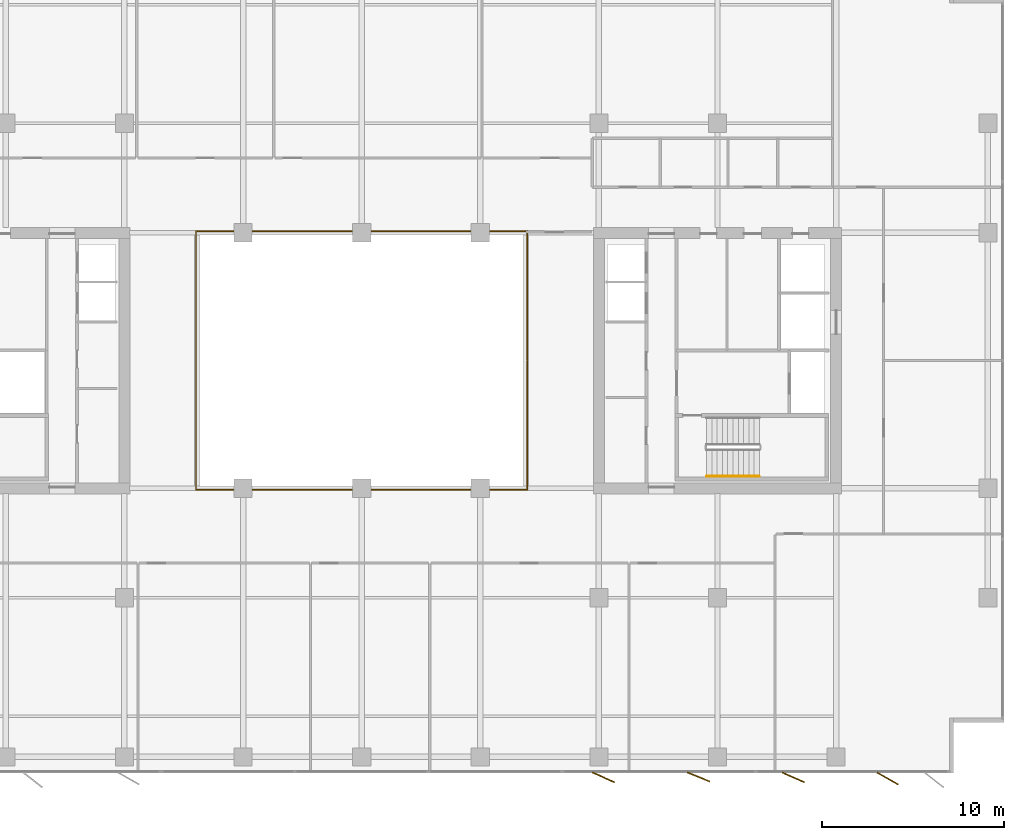
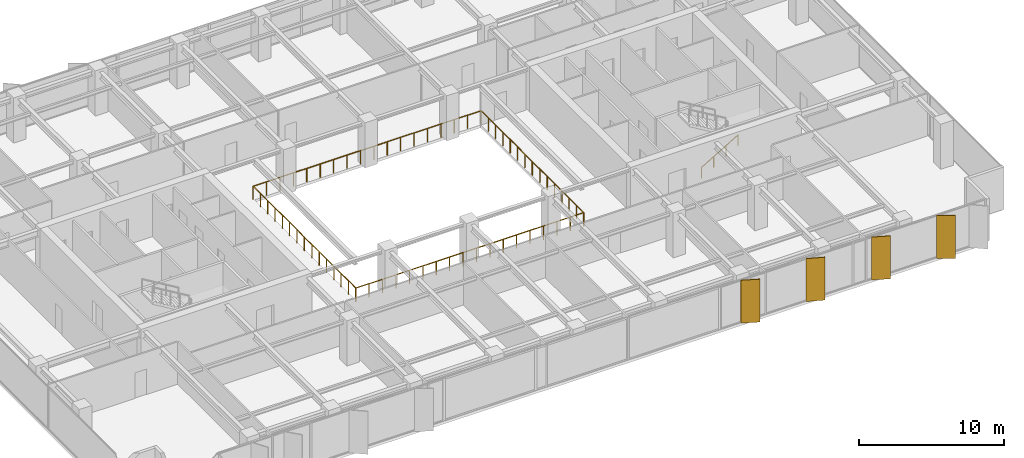
# One storey, part 20 of 22: 4 shading devices, 3 railings.
"""IFC4 building model written with IfcOpenShell, lengths in metres."""

from ifc_helpers import new_model, si_unit, direction, frame, origin, origin_2d, place, context, subcontext, project, spatial, rectangle, circle, extrude, material, layer, layer_set, type_object, element, save


model = new_model("IFC4")

# Units and contexts
model_context = context("Model", 3, precision=1e-05, world=origin(), true_north=direction((0.0, 1.0)))
body_context = subcontext(model_context, "Body", "Model", "MODEL_VIEW")
ifc_project = project(units=[si_unit("LENGTHUNIT", "METRE"), si_unit("AREAUNIT", "SQUARE_METRE"), si_unit("VOLUMEUNIT", "CUBIC_METRE"), si_unit("PLANEANGLEUNIT", "RADIAN"), si_unit("MASSUNIT", "GRAM", prefix="KILO")], contexts=[model_context])

# Site, building, storey
site_placement = place(None, origin())
site = spatial("IfcSite", under=ifc_project, at=site_placement, CompositionType="ELEMENT")
building_placement = place(site_placement, origin())
building = spatial("IfcBuilding", under=site, at=building_placement, Name="Putna Gate Headquarters", CompositionType="ELEMENT")
storey_placement = place(building_placement, frame((0.0, 0.0, 170.800048828125)))
storey = spatial("IfcBuildingStorey", under=building, at=storey_placement, Name="L42", CompositionType="ELEMENT", Elevation=170.800048828125)

# Railings
ifc_material_1 = material(Name="Anodised bronze and laminated glass atrium balustrade", Category="glass")
railing_type_1 = type_object("IfcRailingType", Name="RAIL-ATRIUM-GUARD-1150", PredefinedType="GUARDRAIL", material=ifc_material_1)
railing_1_placement = place(storey_placement, frame((29.919921875, 25.969970703125, 0.0)))
element("IfcRailing", 1, at=railing_1_placement, inside=storey, type_object=railing_type_1, Name="L42 Central Atrium Glazed Balustrade South", PredefinedType="GUARDRAIL", context=body_context, shape_type="SweptSolid", body=[
    extrude(circle(Radius=0.02392578125, at=origin_2d()), frame((0.0, 0.0, 1.1259765625), z_axis=(0.0, -1.0, 0.0), x_axis=(1.0, 0.0, 0.0)), (0.0, 0.0, 1.0), 7.050048828125),
    extrude(circle(Radius=0.02392578125, at=origin_2d()), frame((0.0, -7.050048828125, 1.1259765625), z_axis=(1.0, 0.0, 0.0), x_axis=(0.0, 1.0, 0.0)), (0.0, 0.0, 1.0), 18.16015625),
    extrude(circle(Radius=0.02392578125, at=origin_2d()), frame((18.16015625, -7.050048828125, 1.1259765625), z_axis=(0.0, 1.0, 0.0), x_axis=(-1.0, 0.0, 0.0)), (0.0, 0.0, 1.0), 7.050048828125),
    extrude(circle(Radius=0.02099609375, at=origin_2d()), origin(), (0.0, 0.0, 1.0), 1.101806640625),
    extrude(circle(Radius=0.02099609375, at=origin_2d()), frame((0.0, -1.007080078125, 0.0)), (0.0, 0.0, 1.0), 1.101806640625),
    extrude(circle(Radius=0.02099609375, at=origin_2d()), frame((0.0, -2.014404296875, 0.0)), (0.0, 0.0, 1.0), 1.101806640625),
    extrude(circle(Radius=0.02099609375, at=origin_2d()), frame((0.0, -3.021484375, 0.0)), (0.0, 0.0, 1.0), 1.101806640625),
    extrude(circle(Radius=0.02099609375, at=origin_2d()), frame((0.0, -4.028564453125, 0.0)), (0.0, 0.0, 1.0), 1.101806640625),
    extrude(circle(Radius=0.02099609375, at=origin_2d()), frame((0.0, -5.03564453125, 0.0)), (0.0, 0.0, 1.0), 1.101806640625),
    extrude(circle(Radius=0.02099609375, at=origin_2d()), frame((0.0, -6.04296875, 0.0)), (0.0, 0.0, 1.0), 1.101806640625),
    extrude(circle(Radius=0.02099609375, at=origin_2d()), frame((0.0, -7.050048828125, 0.0)), (0.0, 0.0, 1.0), 1.101806640625),
    extrude(circle(Radius=0.02099609375, at=origin_2d()), frame((1.068359375, -7.050048828125, 0.0)), (0.0, 0.0, 1.0), 1.101806640625),
    extrude(circle(Radius=0.02099609375, at=origin_2d()), frame((2.136474609375, -7.050048828125, 0.0)), (0.0, 0.0, 1.0), 1.101806640625),
    extrude(circle(Radius=0.02099609375, at=origin_2d()), frame((3.204833984375, -7.050048828125, 0.0)), (0.0, 0.0, 1.0), 1.101806640625),
    extrude(circle(Radius=0.02099609375, at=origin_2d()), frame((4.27294921875, -7.050048828125, 0.0)), (0.0, 0.0, 1.0), 1.101806640625),
    extrude(circle(Radius=0.02099609375, at=origin_2d()), frame((5.34130859375, -7.050048828125, 0.0)), (0.0, 0.0, 1.0), 1.101806640625),
    extrude(circle(Radius=0.02099609375, at=origin_2d()), frame((6.409423828125, -7.050048828125, 0.0)), (0.0, 0.0, 1.0), 1.101806640625),
    extrude(circle(Radius=0.02099609375, at=origin_2d()), frame((7.477783203125, -7.050048828125, 0.0)), (0.0, 0.0, 1.0), 1.101806640625),
    extrude(circle(Radius=0.02099609375, at=origin_2d()), frame((8.5458984375, -7.050048828125, 0.0)), (0.0, 0.0, 1.0), 1.101806640625),
    extrude(circle(Radius=0.02099609375, at=origin_2d()), frame((9.6142578125, -7.050048828125, 0.0)), (0.0, 0.0, 1.0), 1.101806640625),
    extrude(circle(Radius=0.02099609375, at=origin_2d()), frame((10.682373046875, -7.050048828125, 0.0)), (0.0, 0.0, 1.0), 1.101806640625),
    extrude(circle(Radius=0.02099609375, at=origin_2d()), frame((11.750732421875, -7.050048828125, 0.0)), (0.0, 0.0, 1.0), 1.101806640625),
    extrude(circle(Radius=0.02099609375, at=origin_2d()), frame((12.81884765625, -7.050048828125, 0.0)), (0.0, 0.0, 1.0), 1.101806640625),
    extrude(circle(Radius=0.02099609375, at=origin_2d()), frame((13.88720703125, -7.050048828125, 0.0)), (0.0, 0.0, 1.0), 1.101806640625),
    extrude(circle(Radius=0.02099609375, at=origin_2d()), frame((14.955322265625, -7.050048828125, 0.0)), (0.0, 0.0, 1.0), 1.101806640625),
    extrude(circle(Radius=0.02099609375, at=origin_2d()), frame((16.023681640625, -7.050048828125, 0.0)), (0.0, 0.0, 1.0), 1.101806640625),
    extrude(circle(Radius=0.02099609375, at=origin_2d()), frame((17.091796875, -7.050048828125, 0.0)), (0.0, 0.0, 1.0), 1.101806640625),
    extrude(circle(Radius=0.02099609375, at=origin_2d()), frame((18.16015625, -7.050048828125, 0.0)), (0.0, 0.0, 1.0), 1.101806640625),
    extrude(circle(Radius=0.02099609375, at=origin_2d()), frame((18.16015625, -6.04296875, 0.0)), (0.0, 0.0, 1.0), 1.101806640625),
    extrude(circle(Radius=0.02099609375, at=origin_2d()), frame((18.16015625, -5.03564453125, 0.0)), (0.0, 0.0, 1.0), 1.101806640625),
    extrude(circle(Radius=0.02099609375, at=origin_2d()), frame((18.16015625, -4.028564453125, 0.0)), (0.0, 0.0, 1.0), 1.101806640625),
    extrude(circle(Radius=0.02099609375, at=origin_2d()), frame((18.16015625, -3.021484375, 0.0)), (0.0, 0.0, 1.0), 1.101806640625),
    extrude(circle(Radius=0.02099609375, at=origin_2d()), frame((18.16015625, -2.014404296875, 0.0)), (0.0, 0.0, 1.0), 1.101806640625),
    extrude(circle(Radius=0.02099609375, at=origin_2d()), frame((18.16015625, -1.007080078125, 0.0)), (0.0, 0.0, 1.0), 1.101806640625),
    extrude(circle(Radius=0.02099609375, at=origin_2d()), frame((18.16015625, 0.0, 0.0)), (0.0, 0.0, 1.0), 1.101806640625),
])
railing_2_placement = place(storey_placement, frame((48.080078125, 26.030029296875, 0.0)))
element("IfcRailing", 2, at=railing_2_placement, inside=storey, type_object=railing_type_1, Name="L42 Central Atrium Glazed Balustrade North", PredefinedType="GUARDRAIL", context=body_context, shape_type="SweptSolid", body=[
    extrude(circle(Radius=0.02392578125, at=origin_2d()), frame((0.0, 0.0, 1.1259765625), z_axis=(0.0, 1.0, 0.0), x_axis=(-1.0, 0.0, 0.0)), (0.0, 0.0, 1.0), 7.050048828125),
    extrude(circle(Radius=0.02392578125, at=origin_2d()), frame((0.0, 7.050048828125, 1.1259765625), z_axis=(-1.0, 0.0, 0.0), x_axis=(0.0, -1.0, 0.0)), (0.0, 0.0, 1.0), 18.16015625),
    extrude(circle(Radius=0.02392578125, at=origin_2d()), frame((-18.16015625, 7.050048828125, 1.1259765625), z_axis=(0.0, -1.0, 0.0), x_axis=(1.0, 0.0, 0.0)), (0.0, 0.0, 1.0), 7.050048828125),
    extrude(circle(Radius=0.02099609375, at=origin_2d()), origin(), (0.0, 0.0, 1.0), 1.101806640625),
    extrude(circle(Radius=0.02099609375, at=origin_2d()), frame((0.0, 1.007080078125, 0.0)), (0.0, 0.0, 1.0), 1.101806640625),
    extrude(circle(Radius=0.02099609375, at=origin_2d()), frame((0.0, 2.014404296875, 0.0)), (0.0, 0.0, 1.0), 1.101806640625),
    extrude(circle(Radius=0.02099609375, at=origin_2d()), frame((0.0, 3.021484375, 0.0)), (0.0, 0.0, 1.0), 1.101806640625),
    extrude(circle(Radius=0.02099609375, at=origin_2d()), frame((0.0, 4.028564453125, 0.0)), (0.0, 0.0, 1.0), 1.101806640625),
    extrude(circle(Radius=0.02099609375, at=origin_2d()), frame((0.0, 5.03564453125, 0.0)), (0.0, 0.0, 1.0), 1.101806640625),
    extrude(circle(Radius=0.02099609375, at=origin_2d()), frame((0.0, 6.04296875, 0.0)), (0.0, 0.0, 1.0), 1.101806640625),
    extrude(circle(Radius=0.02099609375, at=origin_2d()), frame((0.0, 7.050048828125, 0.0)), (0.0, 0.0, 1.0), 1.101806640625),
    extrude(circle(Radius=0.02099609375, at=origin_2d()), frame((-1.068359375, 7.050048828125, 0.0)), (0.0, 0.0, 1.0), 1.101806640625),
    extrude(circle(Radius=0.02099609375, at=origin_2d()), frame((-2.136474609375, 7.050048828125, 0.0)), (0.0, 0.0, 1.0), 1.101806640625),
    extrude(circle(Radius=0.02099609375, at=origin_2d()), frame((-3.204833984375, 7.050048828125, 0.0)), (0.0, 0.0, 1.0), 1.101806640625),
    extrude(circle(Radius=0.02099609375, at=origin_2d()), frame((-4.27294921875, 7.050048828125, 0.0)), (0.0, 0.0, 1.0), 1.101806640625),
    extrude(circle(Radius=0.02099609375, at=origin_2d()), frame((-5.34130859375, 7.050048828125, 0.0)), (0.0, 0.0, 1.0), 1.101806640625),
    extrude(circle(Radius=0.02099609375, at=origin_2d()), frame((-6.409423828125, 7.050048828125, 0.0)), (0.0, 0.0, 1.0), 1.101806640625),
    extrude(circle(Radius=0.02099609375, at=origin_2d()), frame((-7.477783203125, 7.050048828125, 0.0)), (0.0, 0.0, 1.0), 1.101806640625),
    extrude(circle(Radius=0.02099609375, at=origin_2d()), frame((-8.5458984375, 7.050048828125, 0.0)), (0.0, 0.0, 1.0), 1.101806640625),
    extrude(circle(Radius=0.02099609375, at=origin_2d()), frame((-9.6142578125, 7.050048828125, 0.0)), (0.0, 0.0, 1.0), 1.101806640625),
    extrude(circle(Radius=0.02099609375, at=origin_2d()), frame((-10.682373046875, 7.050048828125, 0.0)), (0.0, 0.0, 1.0), 1.101806640625),
    extrude(circle(Radius=0.02099609375, at=origin_2d()), frame((-11.750732421875, 7.050048828125, 0.0)), (0.0, 0.0, 1.0), 1.101806640625),
    extrude(circle(Radius=0.02099609375, at=origin_2d()), frame((-12.81884765625, 7.050048828125, 0.0)), (0.0, 0.0, 1.0), 1.101806640625),
    extrude(circle(Radius=0.02099609375, at=origin_2d()), frame((-13.88720703125, 7.050048828125, 0.0)), (0.0, 0.0, 1.0), 1.101806640625),
    extrude(circle(Radius=0.02099609375, at=origin_2d()), frame((-14.955322265625, 7.050048828125, 0.0)), (0.0, 0.0, 1.0), 1.101806640625),
    extrude(circle(Radius=0.02099609375, at=origin_2d()), frame((-16.023681640625, 7.050048828125, 0.0)), (0.0, 0.0, 1.0), 1.101806640625),
    extrude(circle(Radius=0.02099609375, at=origin_2d()), frame((-17.091796875, 7.050048828125, 0.0)), (0.0, 0.0, 1.0), 1.101806640625),
    extrude(circle(Radius=0.02099609375, at=origin_2d()), frame((-18.16015625, 7.050048828125, 0.0)), (0.0, 0.0, 1.0), 1.101806640625),
    extrude(circle(Radius=0.02099609375, at=origin_2d()), frame((-18.16015625, 6.04296875, 0.0)), (0.0, 0.0, 1.0), 1.101806640625),
    extrude(circle(Radius=0.02099609375, at=origin_2d()), frame((-18.16015625, 5.03564453125, 0.0)), (0.0, 0.0, 1.0), 1.101806640625),
    extrude(circle(Radius=0.02099609375, at=origin_2d()), frame((-18.16015625, 4.028564453125, 0.0)), (0.0, 0.0, 1.0), 1.101806640625),
    extrude(circle(Radius=0.02099609375, at=origin_2d()), frame((-18.16015625, 3.021484375, 0.0)), (0.0, 0.0, 1.0), 1.101806640625),
    extrude(circle(Radius=0.02099609375, at=origin_2d()), frame((-18.16015625, 2.014404296875, 0.0)), (0.0, 0.0, 1.0), 1.101806640625),
    extrude(circle(Radius=0.02099609375, at=origin_2d()), frame((-18.16015625, 1.007080078125, 0.0)), (0.0, 0.0, 1.0), 1.101806640625),
    extrude(circle(Radius=0.02099609375, at=origin_2d()), frame((-18.16015625, 0.0, 0.0)), (0.0, 0.0, 1.0), 1.101806640625),
])
ifc_material_2 = material(Name="Brushed stainless steel handrail", Category="steel")
railing_type_2 = type_object("IfcRailingType", Name="RAIL-STAIR-HAND-900", PredefinedType="HANDRAIL", material=ifc_material_2)
railing_3_placement = place(storey_placement, frame((57.89990234375, 19.64990234375, 0.172607421875)))
element("IfcRailing", 3, at=railing_3_placement, inside=storey, type_object=railing_type_2, Name="L42 ST2 stair handrail 1", PredefinedType="HANDRAIL", context=body_context, shape_type="SweptSolid", body=[
    extrude(circle(Radius=0.02392578125, at=origin_2d()), frame((0.0, 0.0, 0.8759765625), z_axis=(0.859160404282, 0.0, 0.51170636083), x_axis=(0.0, 1.0, 0.0)), (0.0, 0.0, 1.0), 3.37548828125),
    extrude(circle(Radius=0.02099609375, at=origin_2d()), origin(), (0.0, 0.0, 1.0), 0.851806640625),
    extrude(circle(Radius=0.02099609375, at=origin_2d()), frame((0.966796875, 0.0, 0.57568359375)), (0.0, 0.0, 1.0), 0.851806640625),
    extrude(circle(Radius=0.02099609375, at=origin_2d()), frame((1.933349609375, 0.0, 1.151611328125)), (0.0, 0.0, 1.0), 0.851806640625),
    extrude(circle(Radius=0.02099609375, at=origin_2d()), frame((2.900146484375, 0.0, 1.727294921875)), (0.0, 0.0, 1.0), 0.851806640625),
])

# Shading devices
ifc_material_3 = material(Name="Anodised architectural bronze aluminium fin", Category="aluminium")
ifc_layer = layer(ifc_material_3, 0.06494140625)
ifc_layer_set = layer_set([ifc_layer], Name="Anodised architectural bronze aluminium fin")
shading_device_type = type_object("IfcShadingDeviceType", Name="SHADE-BRONZE-FIN-1320", PredefinedType="USERDEFINED", material=ifc_layer_set)
for number, where, z_axis, x_axis, name in (
    (4, (52.2529296875, 3.15673828125, -0.02001953125), (0.0, 0.0, 1.0), (0.913687379856, -0.40641773078, 0.0), "L42 Bronze Vertical Shading Fin S7"),
    (5, (57.4619140625, 3.177734375, -0.02001953125), (0.0, 0.0, 1.0), (0.927183854567, -0.374606593416, 0.0), "L42 Bronze Vertical Shading Fin S8"),
    (6, (62.653076171875, 3.15673828125, -0.02001953125), (0.0, 0.0, 1.0), (0.913687379856, -0.40641773078, 0.0), "L42 Bronze Vertical Shading Fin S9"),
    (7, (67.82373046875, 3.098876953125, -0.02001953125), (0.0, 0.0, 1.0), (0.869322458298, -0.494245347472, 0.0), "L42 Bronze Vertical Shading Fin S10"),
):
    element("IfcShadingDevice", number, at=place(storey_placement, frame(where, z_axis=z_axis, x_axis=x_axis)), inside=storey, type_object=shading_device_type, Name=name, ObjectType="FIN", PredefinedType="USERDEFINED", context=body_context, shape_type="SweptSolid", body=[
        extrude(rectangle(XDim=1.320068359375, YDim=0.06494140625, at=origin_2d()), origin(), (0.0, 0.0, 1.0), 3.612060546875),
    ])

save(model, "model.ifc")
